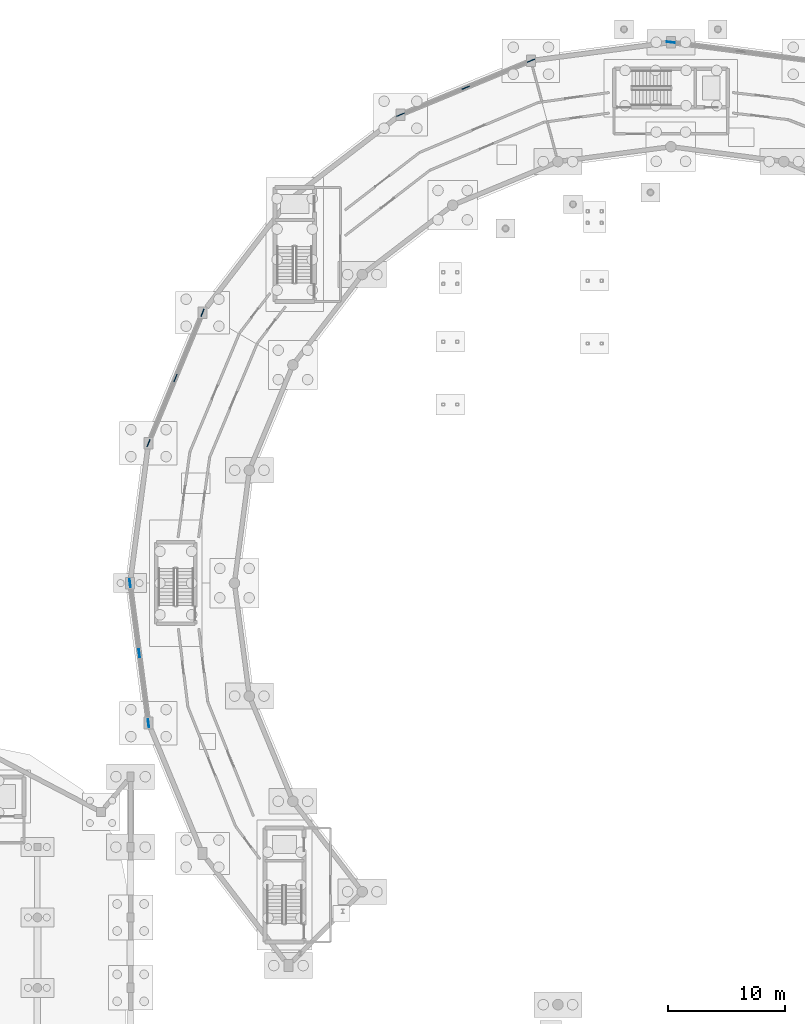
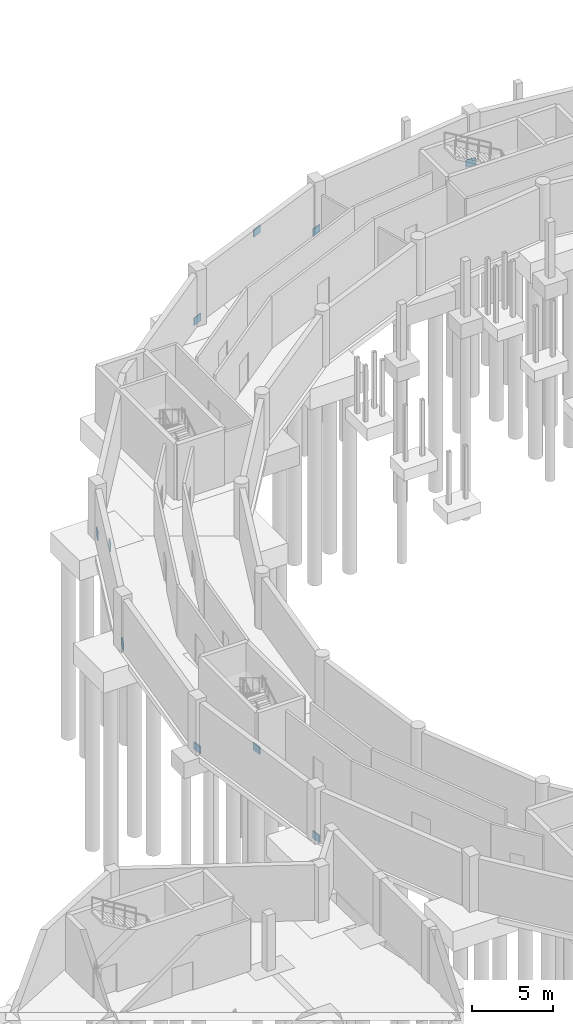
# One storey, part 28 of 43: 10 plates.
"""IFC4 building model written with IfcOpenShell, lengths in metres."""

from ifc_helpers import new_model, si_unit, direction, frame, origin, origin_2d, place, context, subcontext, project, spatial, rectangle, extrude, material, layer, layer_set, type_object, element, save


model = new_model("IFC4")

# Units and contexts
model_context = context("Model", 3, precision=1e-05, world=origin(), true_north=direction((0.0, 1.0)))
body_context = subcontext(model_context, "Body", "Model", "MODEL_VIEW")
ifc_project = project(units=[si_unit("LENGTHUNIT", "METRE"), si_unit("AREAUNIT", "SQUARE_METRE"), si_unit("VOLUMEUNIT", "CUBIC_METRE"), si_unit("PLANEANGLEUNIT", "RADIAN"), si_unit("MASSUNIT", "GRAM", prefix="KILO")], contexts=[model_context])

# Site, building, storey
site_placement = place(None, origin())
site = spatial("IfcSite", under=ifc_project, at=site_placement, CompositionType="ELEMENT")
building_placement = place(site_placement, origin())
building = spatial("IfcBuilding", under=site, at=building_placement, Name="Vespera Passage Community Centre", CompositionType="ELEMENT")
storey_placement = place(building_placement, frame((0.0, 0.0, -4.199951171875)))
storey = spatial("IfcBuildingStorey", under=building, at=storey_placement, Name="B1", CompositionType="ELEMENT", Elevation=-4.199951171875)

# Plates
ifc_material = material(Name="Steel ASTM A572 Grade 50", Category="steel")
ifc_layer = layer(ifc_material, 0.06494140625)
ifc_layer_set = layer_set([ifc_layer], Name="Steel ASTM A572 Grade 50")
plate_type = type_object("IfcPlateType", Name="PL-GUS-65", PredefinedType="SHEET", material=ifc_layer_set)
for number, where, z_axis, x_axis, name in (
    (1, (78.0, 111.60009765625, -0.10009765625), (0.0, 0.0, 1.0), (-0.991444861374, 0.13052619222, 0.0), "B1 Chevron Brace Gusset 1R"),
    (2, (66.068359375, 110.029296875, -0.10009765625), (0.0, 0.0, 1.0), (-0.923879532511, -0.382683432365, 0.0), "B1 Chevron Brace Gusset 2L"),
    (3, (54.949951171875, 105.423828125, -0.10009765625), (0.0, 0.0, 1.0), (-0.923879532511, -0.382683432365, 0.0), "B1 Chevron Brace Gusset 2R"),
    (4, (60.50927734375, 107.7265625, 3.2001953125), (0.0, 0.0, 1.0), (-0.923879532511, -0.382683432365, 0.0), "B1 Chevron Brace Gusset 2M"),
    (5, (38.076171875, 88.550048828125, -0.10009765625), (0.0, 0.0, 1.0), (-0.382683432365, -0.923879532511, 0.0), "B1 Chevron Brace Gusset 3L"),
    (6, (33.470703125, 77.431640625, -0.10009765625), (0.0, 0.0, 1.0), (-0.382683432365, -0.923879532511, 0.0), "B1 Chevron Brace Gusset 3R"),
    (7, (35.7734375, 82.99072265625, 3.2001953125), (0.0, 0.0, 1.0), (-0.382683432365, -0.923879532511, 0.0), "B1 Chevron Brace Gusset 3M"),
    (8, (31.89990234375, 65.5, -0.10009765625), (0.0, 0.0, 1.0), (0.13052619222, -0.991444861374, 0.0), "B1 Chevron Brace Gusset 4L"),
    (9, (33.470703125, 53.568359375, -0.10009765625), (0.0, 0.0, 1.0), (0.13052619222, -0.991444861374, 0.0), "B1 Chevron Brace Gusset 4R"),
    (10, (32.685302734375, 59.5341796875, 3.2001953125), (0.0, 0.0, 1.0), (0.13052619222, -0.991444861374, 0.0), "B1 Chevron Brace Gusset 4M"),
):
    element("IfcPlate", number, at=place(storey_placement, frame(where, z_axis=z_axis, x_axis=x_axis)), inside=storey, type_object=plate_type, Name=name, PredefinedType="SHEET", context=body_context, shape_type="SweptSolid", body=[
        extrude(rectangle(XDim=0.679931640625, YDim=0.06494140625, at=origin_2d()), origin(), (0.0, 0.0, 1.0), 0.56005859375),
    ])

save(model, "model.ifc")
